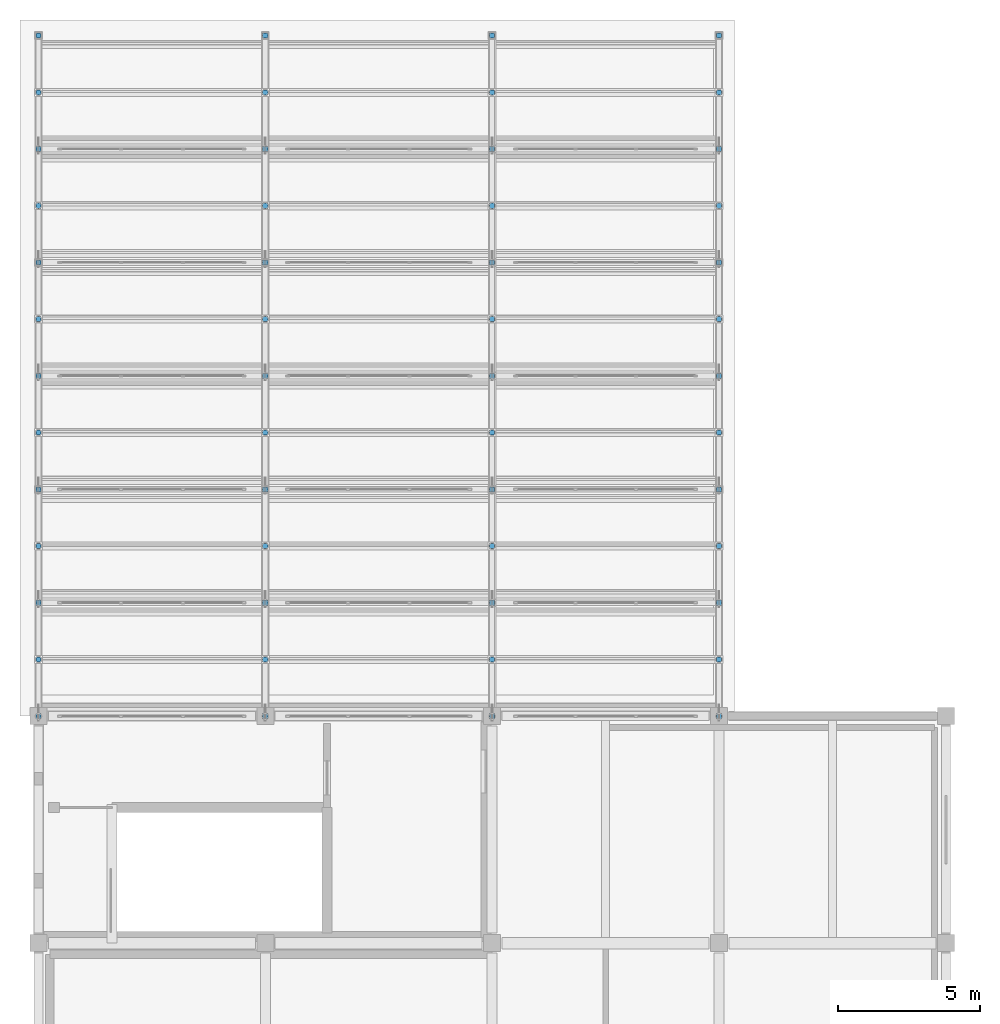
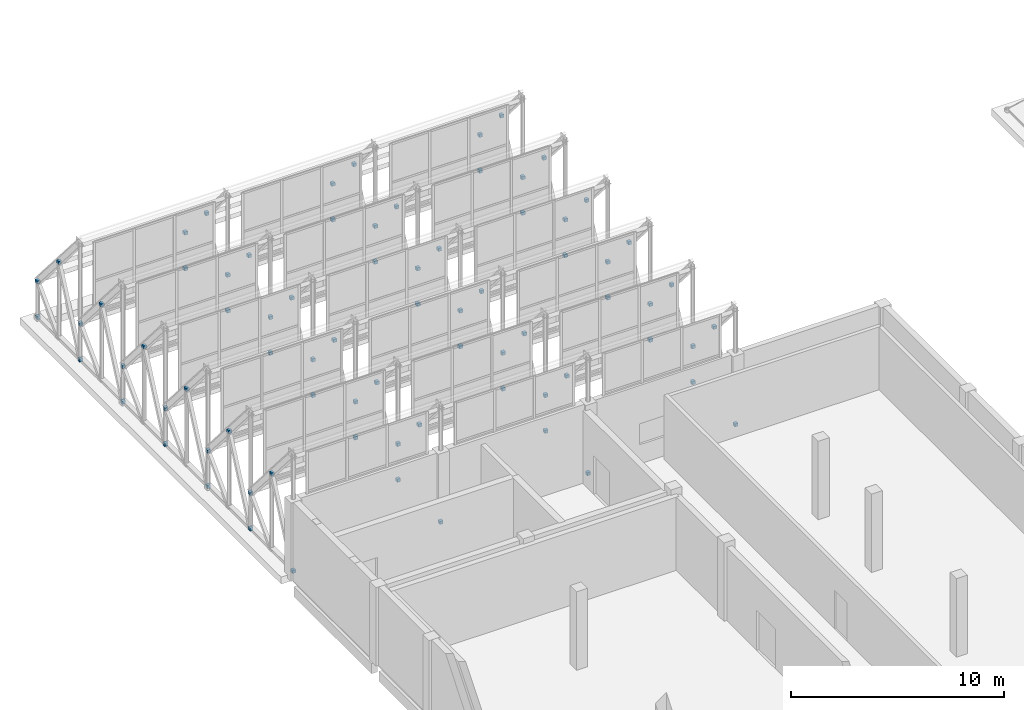
# One storey, part 41 of 43: 76 discrete accessories.
"""IFC4 building model written with IfcOpenShell, lengths in metres."""

from ifc_helpers import new_model, si_unit, direction, frame, origin, origin_2d, place, context, subcontext, project, spatial, rectangle, extrude, material, type_object, element, save


model = new_model("IFC4")

# Units and contexts
model_context = context("Model", 3, precision=1e-05, world=origin(), true_north=direction((0.0, 1.0)))
body_context = subcontext(model_context, "Body", "Model", "MODEL_VIEW")
ifc_project = project(units=[si_unit("LENGTHUNIT", "METRE"), si_unit("AREAUNIT", "SQUARE_METRE"), si_unit("VOLUMEUNIT", "CUBIC_METRE"), si_unit("PLANEANGLEUNIT", "RADIAN"), si_unit("MASSUNIT", "GRAM", prefix="KILO")], contexts=[model_context])

# Site, building, storey
site_placement = place(None, origin())
site = spatial("IfcSite", under=ifc_project, at=site_placement, CompositionType="ELEMENT")
building_placement = place(site_placement, origin())
building = spatial("IfcBuilding", under=site, at=building_placement, Name="Qorikala Patio Media Centre", CompositionType="ELEMENT")
storey_placement = place(building_placement, frame((0.0, 0.0, 18.89990234375)))
storey = spatial("IfcBuildingStorey", under=building, at=storey_placement, Name="L04", CompositionType="ELEMENT", Elevation=18.89990234375)

# Discrete accessories
ifc_material = material(Name="Steel S355", Category="steel")
discrete_accessory_type = type_object("IfcDiscreteAccessoryType", Name="ACC-BRACKET", PredefinedType="BRACKET", material=ifc_material)
for number, where, z_axis, x_axis, name in (
    (1, (3.0, 72.0, 0.26025390625), (0.0, 0.0, 1.0), (1.0, 0.0, 0.0), "L04 Brace End Bolted Connection Bracket 0133"),
    (2, (3.0, 74.0, 4.63525390625), (0.0, 0.0, 1.0), (1.0, 0.0, 0.0), "L04 Brace End Bolted Connection Bracket 0134"),
    (3, (3.0, 76.0, 2.31005859375), (0.0, 0.0, 1.0), (1.0, 0.0, 0.0), "L04 Brace End Bolted Connection Bracket 0135"),
    (4, (3.0, 76.0, 0.26025390625), (0.0, 0.0, 1.0), (1.0, 0.0, 0.0), "L04 Brace End Bolted Connection Bracket 0136"),
    (5, (3.0, 78.0, 4.63525390625), (0.0, 0.0, 1.0), (1.0, 0.0, 0.0), "L04 Brace End Bolted Connection Bracket 0137"),
    (6, (3.0, 80.0, 2.31005859375), (0.0, 0.0, 1.0), (1.0, 0.0, 0.0), "L04 Brace End Bolted Connection Bracket 0138"),
    (7, (3.0, 80.0, 0.26025390625), (0.0, 0.0, 1.0), (1.0, 0.0, 0.0), "L04 Brace End Bolted Connection Bracket 0139"),
    (8, (3.0, 82.0, 4.63525390625), (0.0, 0.0, 1.0), (1.0, 0.0, 0.0), "L04 Brace End Bolted Connection Bracket 0140"),
    (9, (3.0, 84.0, 2.31005859375), (0.0, 0.0, 1.0), (1.0, 0.0, 0.0), "L04 Brace End Bolted Connection Bracket 0141"),
    (10, (3.0, 84.0, 0.26025390625), (0.0, 0.0, 1.0), (1.0, 0.0, 0.0), "L04 Brace End Bolted Connection Bracket 0142"),
    (11, (3.0, 86.0, 4.63525390625), (0.0, 0.0, 1.0), (1.0, 0.0, 0.0), "L04 Brace End Bolted Connection Bracket 0143"),
    (12, (3.0, 88.0, 2.31005859375), (0.0, 0.0, 1.0), (1.0, 0.0, 0.0), "L04 Brace End Bolted Connection Bracket 0144"),
    (13, (3.0, 88.0, 0.26025390625), (0.0, 0.0, 1.0), (1.0, 0.0, 0.0), "L04 Brace End Bolted Connection Bracket 0145"),
    (14, (3.0, 90.0, 4.63525390625), (0.0, 0.0, 1.0), (1.0, 0.0, 0.0), "L04 Brace End Bolted Connection Bracket 0146"),
    (15, (3.0, 92.0, 2.31005859375), (0.0, 0.0, 1.0), (1.0, 0.0, 0.0), "L04 Brace End Bolted Connection Bracket 0147"),
    (16, (3.0, 92.0, 0.26025390625), (0.0, 0.0, 1.0), (1.0, 0.0, 0.0), "L04 Brace End Bolted Connection Bracket 0148"),
    (17, (3.0, 96.0, 0.26025390625), (0.0, 0.0, 1.0), (1.0, 0.0, 0.0), "L04 Brace End Bolted Connection Bracket 0149"),
    (18, (3.0, 96.0, 2.31005859375), (0.0, 0.0, 1.0), (1.0, 0.0, 0.0), "L04 Brace End Bolted Connection Bracket 0150"),
    (19, (3.0, 94.0, 4.63525390625), (0.0, 0.0, 1.0), (1.0, 0.0, 0.0), "L04 Brace End Bolted Connection Bracket 0151"),
    (20, (11.0, 72.0, 0.26025390625), (0.0, 0.0, 1.0), (1.0, 0.0, 0.0), "L04 Brace End Bolted Connection Bracket 0152"),
    (21, (11.0, 74.0, 4.63525390625), (0.0, 0.0, 1.0), (1.0, 0.0, 0.0), "L04 Brace End Bolted Connection Bracket 0153"),
    (22, (11.0, 76.0, 2.31005859375), (0.0, 0.0, 1.0), (1.0, 0.0, 0.0), "L04 Brace End Bolted Connection Bracket 0154"),
    (23, (11.0, 76.0, 0.26025390625), (0.0, 0.0, 1.0), (1.0, 0.0, 0.0), "L04 Brace End Bolted Connection Bracket 0155"),
    (24, (11.0, 78.0, 4.63525390625), (0.0, 0.0, 1.0), (1.0, 0.0, 0.0), "L04 Brace End Bolted Connection Bracket 0156"),
    (25, (11.0, 80.0, 2.31005859375), (0.0, 0.0, 1.0), (1.0, 0.0, 0.0), "L04 Brace End Bolted Connection Bracket 0157"),
    (26, (11.0, 80.0, 0.26025390625), (0.0, 0.0, 1.0), (1.0, 0.0, 0.0), "L04 Brace End Bolted Connection Bracket 0158"),
    (27, (11.0, 82.0, 4.63525390625), (0.0, 0.0, 1.0), (1.0, 0.0, 0.0), "L04 Brace End Bolted Connection Bracket 0159"),
    (28, (11.0, 84.0, 2.31005859375), (0.0, 0.0, 1.0), (1.0, 0.0, 0.0), "L04 Brace End Bolted Connection Bracket 0160"),
    (29, (11.0, 84.0, 0.26025390625), (0.0, 0.0, 1.0), (1.0, 0.0, 0.0), "L04 Brace End Bolted Connection Bracket 0161"),
    (30, (11.0, 86.0, 4.63525390625), (0.0, 0.0, 1.0), (1.0, 0.0, 0.0), "L04 Brace End Bolted Connection Bracket 0162"),
    (31, (11.0, 88.0, 2.31005859375), (0.0, 0.0, 1.0), (1.0, 0.0, 0.0), "L04 Brace End Bolted Connection Bracket 0163"),
    (32, (11.0, 88.0, 0.26025390625), (0.0, 0.0, 1.0), (1.0, 0.0, 0.0), "L04 Brace End Bolted Connection Bracket 0164"),
    (33, (11.0, 90.0, 4.63525390625), (0.0, 0.0, 1.0), (1.0, 0.0, 0.0), "L04 Brace End Bolted Connection Bracket 0165"),
    (34, (11.0, 92.0, 2.31005859375), (0.0, 0.0, 1.0), (1.0, 0.0, 0.0), "L04 Brace End Bolted Connection Bracket 0166"),
    (35, (11.0, 92.0, 0.26025390625), (0.0, 0.0, 1.0), (1.0, 0.0, 0.0), "L04 Brace End Bolted Connection Bracket 0167"),
    (36, (11.0, 96.0, 0.26025390625), (0.0, 0.0, 1.0), (1.0, 0.0, 0.0), "L04 Brace End Bolted Connection Bracket 0168"),
    (37, (11.0, 96.0, 2.31005859375), (0.0, 0.0, 1.0), (1.0, 0.0, 0.0), "L04 Brace End Bolted Connection Bracket 0169"),
    (38, (11.0, 94.0, 4.63525390625), (0.0, 0.0, 1.0), (1.0, 0.0, 0.0), "L04 Brace End Bolted Connection Bracket 0170"),
    (39, (19.0, 72.0, 0.26025390625), (0.0, 0.0, 1.0), (1.0, 0.0, 0.0), "L04 Brace End Bolted Connection Bracket 0171"),
    (40, (19.0, 74.0, 4.63525390625), (0.0, 0.0, 1.0), (1.0, 0.0, 0.0), "L04 Brace End Bolted Connection Bracket 0172"),
    (41, (19.0, 76.0, 2.31005859375), (0.0, 0.0, 1.0), (1.0, 0.0, 0.0), "L04 Brace End Bolted Connection Bracket 0173"),
    (42, (19.0, 76.0, 0.26025390625), (0.0, 0.0, 1.0), (1.0, 0.0, 0.0), "L04 Brace End Bolted Connection Bracket 0174"),
    (43, (19.0, 78.0, 4.63525390625), (0.0, 0.0, 1.0), (1.0, 0.0, 0.0), "L04 Brace End Bolted Connection Bracket 0175"),
    (44, (19.0, 80.0, 2.31005859375), (0.0, 0.0, 1.0), (1.0, 0.0, 0.0), "L04 Brace End Bolted Connection Bracket 0176"),
    (45, (19.0, 80.0, 0.26025390625), (0.0, 0.0, 1.0), (1.0, 0.0, 0.0), "L04 Brace End Bolted Connection Bracket 0177"),
    (46, (19.0, 82.0, 4.63525390625), (0.0, 0.0, 1.0), (1.0, 0.0, 0.0), "L04 Brace End Bolted Connection Bracket 0178"),
    (47, (19.0, 84.0, 2.31005859375), (0.0, 0.0, 1.0), (1.0, 0.0, 0.0), "L04 Brace End Bolted Connection Bracket 0179"),
    (48, (19.0, 84.0, 0.26025390625), (0.0, 0.0, 1.0), (1.0, 0.0, 0.0), "L04 Brace End Bolted Connection Bracket 0180"),
    (49, (19.0, 86.0, 4.63525390625), (0.0, 0.0, 1.0), (1.0, 0.0, 0.0), "L04 Brace End Bolted Connection Bracket 0181"),
    (50, (19.0, 88.0, 2.31005859375), (0.0, 0.0, 1.0), (1.0, 0.0, 0.0), "L04 Brace End Bolted Connection Bracket 0182"),
    (51, (19.0, 88.0, 0.26025390625), (0.0, 0.0, 1.0), (1.0, 0.0, 0.0), "L04 Brace End Bolted Connection Bracket 0183"),
    (52, (19.0, 90.0, 4.63525390625), (0.0, 0.0, 1.0), (1.0, 0.0, 0.0), "L04 Brace End Bolted Connection Bracket 0184"),
    (53, (19.0, 92.0, 2.31005859375), (0.0, 0.0, 1.0), (1.0, 0.0, 0.0), "L04 Brace End Bolted Connection Bracket 0185"),
    (54, (19.0, 92.0, 0.26025390625), (0.0, 0.0, 1.0), (1.0, 0.0, 0.0), "L04 Brace End Bolted Connection Bracket 0186"),
    (55, (19.0, 96.0, 0.26025390625), (0.0, 0.0, 1.0), (1.0, 0.0, 0.0), "L04 Brace End Bolted Connection Bracket 0187"),
    (56, (19.0, 96.0, 2.31005859375), (0.0, 0.0, 1.0), (1.0, 0.0, 0.0), "L04 Brace End Bolted Connection Bracket 0188"),
    (57, (19.0, 94.0, 4.63525390625), (0.0, 0.0, 1.0), (1.0, 0.0, 0.0), "L04 Brace End Bolted Connection Bracket 0189"),
    (58, (27.0, 72.0, 0.26025390625), (0.0, 0.0, 1.0), (1.0, 0.0, 0.0), "L04 Brace End Bolted Connection Bracket 0190"),
    (59, (27.0, 74.0, 4.63525390625), (0.0, 0.0, 1.0), (1.0, 0.0, 0.0), "L04 Brace End Bolted Connection Bracket 0191"),
    (60, (27.0, 76.0, 2.31005859375), (0.0, 0.0, 1.0), (1.0, 0.0, 0.0), "L04 Brace End Bolted Connection Bracket 0192"),
    (61, (27.0, 76.0, 0.26025390625), (0.0, 0.0, 1.0), (1.0, 0.0, 0.0), "L04 Brace End Bolted Connection Bracket 0193"),
    (62, (27.0, 78.0, 4.63525390625), (0.0, 0.0, 1.0), (1.0, 0.0, 0.0), "L04 Brace End Bolted Connection Bracket 0194"),
    (63, (27.0, 80.0, 2.31005859375), (0.0, 0.0, 1.0), (1.0, 0.0, 0.0), "L04 Brace End Bolted Connection Bracket 0195"),
    (64, (27.0, 80.0, 0.26025390625), (0.0, 0.0, 1.0), (1.0, 0.0, 0.0), "L04 Brace End Bolted Connection Bracket 0196"),
    (65, (27.0, 82.0, 4.63525390625), (0.0, 0.0, 1.0), (1.0, 0.0, 0.0), "L04 Brace End Bolted Connection Bracket 0197"),
    (66, (27.0, 84.0, 2.31005859375), (0.0, 0.0, 1.0), (1.0, 0.0, 0.0), "L04 Brace End Bolted Connection Bracket 0198"),
    (67, (27.0, 84.0, 0.26025390625), (0.0, 0.0, 1.0), (1.0, 0.0, 0.0), "L04 Brace End Bolted Connection Bracket 0199"),
    (68, (27.0, 86.0, 4.63525390625), (0.0, 0.0, 1.0), (1.0, 0.0, 0.0), "L04 Brace End Bolted Connection Bracket 0200"),
    (69, (27.0, 88.0, 2.31005859375), (0.0, 0.0, 1.0), (1.0, 0.0, 0.0), "L04 Brace End Bolted Connection Bracket 0201"),
    (70, (27.0, 88.0, 0.26025390625), (0.0, 0.0, 1.0), (1.0, 0.0, 0.0), "L04 Brace End Bolted Connection Bracket 0202"),
    (71, (27.0, 90.0, 4.63525390625), (0.0, 0.0, 1.0), (1.0, 0.0, 0.0), "L04 Brace End Bolted Connection Bracket 0203"),
    (72, (27.0, 92.0, 2.31005859375), (0.0, 0.0, 1.0), (1.0, 0.0, 0.0), "L04 Brace End Bolted Connection Bracket 0204"),
    (73, (27.0, 92.0, 0.26025390625), (0.0, 0.0, 1.0), (1.0, 0.0, 0.0), "L04 Brace End Bolted Connection Bracket 0205"),
    (74, (27.0, 96.0, 0.26025390625), (0.0, 0.0, 1.0), (1.0, 0.0, 0.0), "L04 Brace End Bolted Connection Bracket 0206"),
    (75, (27.0, 96.0, 2.31005859375), (0.0, 0.0, 1.0), (1.0, 0.0, 0.0), "L04 Brace End Bolted Connection Bracket 0207"),
    (76, (27.0, 94.0, 4.63525390625), (0.0, 0.0, 1.0), (1.0, 0.0, 0.0), "L04 Brace End Bolted Connection Bracket 0208"),
):
    element("IfcDiscreteAccessory", number, at=place(storey_placement, frame(where, z_axis=z_axis, x_axis=x_axis)), inside=storey, type_object=discrete_accessory_type, Name=name, PredefinedType="BRACKET", context=body_context, shape_type="SweptSolid", body=[
        extrude(rectangle(XDim=0.179931640625, YDim=0.179931640625, at=origin_2d()), origin(), (0.0, 0.0, 1.0), 0.179931640625),
    ])

save(model, "model.ifc")
